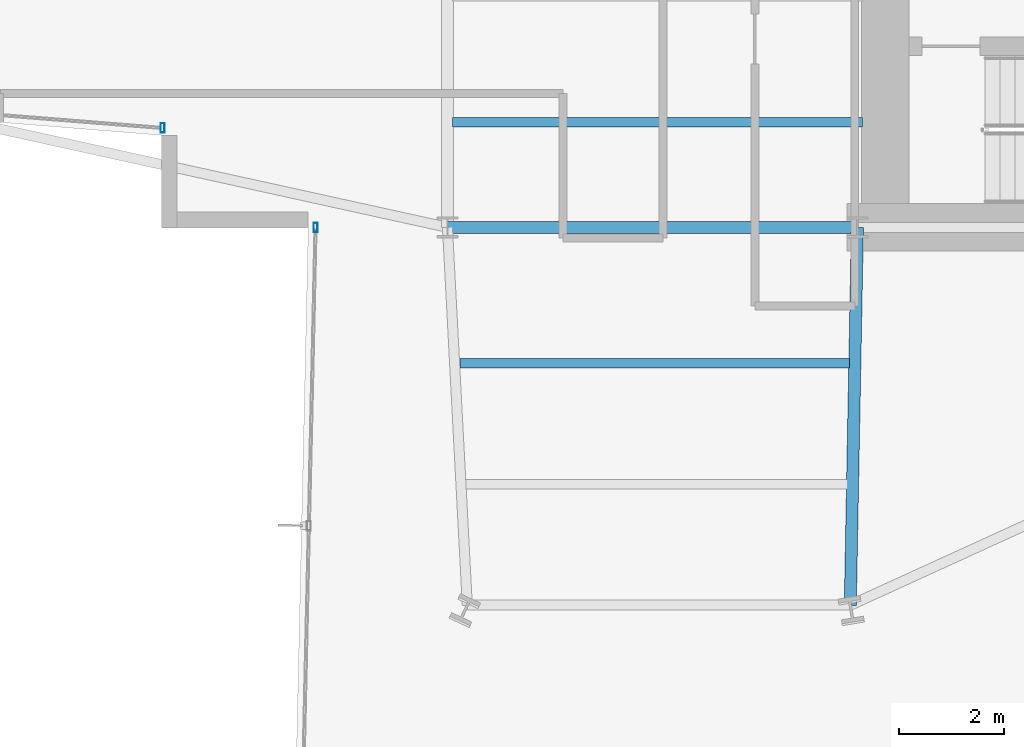
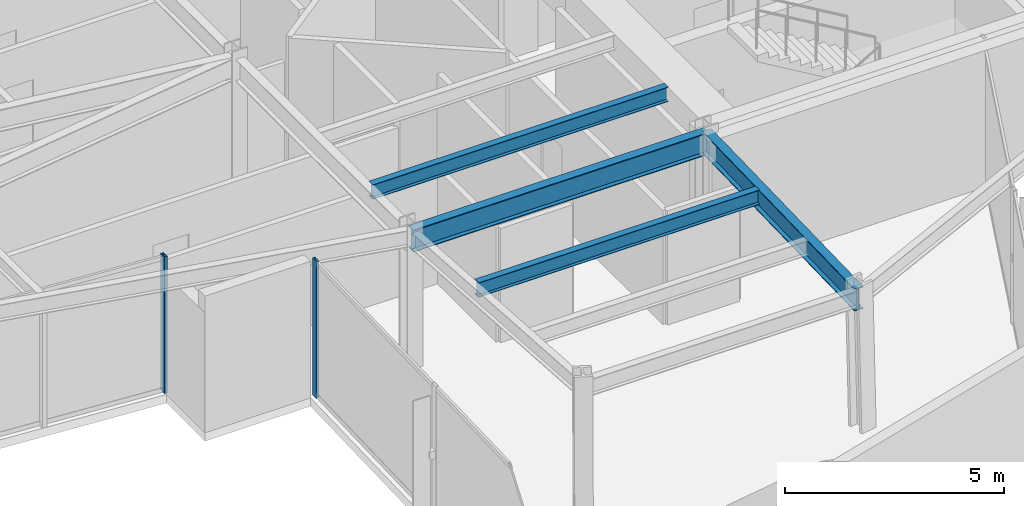
# One storey, part 5 of 26: 4 beams, 2 members, 2 elements without a shape of their own.
"""IFC4 building model written with IfcOpenShell, lengths in metres."""

from ifc_helpers import new_model, si_unit, direction, frame, origin, origin_2d, place, context, subcontext, project, spatial, hollow_rectangle, i_section, extrude, material, layer, layer_set, material_profile, profile_set, type_object, element, aggregate, save


model = new_model("IFC4")

# Units and contexts
model_context = context("Model", 3, precision=1e-05, world=origin(), true_north=direction((0.0, 1.0)))
body_context = subcontext(model_context, "Body", "Model", "MODEL_VIEW")
ifc_project = project(units=[si_unit("LENGTHUNIT", "METRE"), si_unit("AREAUNIT", "SQUARE_METRE"), si_unit("VOLUMEUNIT", "CUBIC_METRE"), si_unit("PLANEANGLEUNIT", "RADIAN"), si_unit("MASSUNIT", "GRAM", prefix="KILO")], contexts=[model_context])

# Site, building, storey
site_placement = place(None, origin())
site = spatial("IfcSite", under=ifc_project, at=site_placement, CompositionType="ELEMENT")
building_placement = place(site_placement, origin())
building = spatial("IfcBuilding", under=site, at=building_placement, Name="Veymaron Broadcast Tower", CompositionType="ELEMENT")
storey_placement = place(building_placement, frame((0.0, 0.0, 90.449951171875)))
storey = spatial("IfcBuildingStorey", under=building, at=storey_placement, Name="L20", CompositionType="ELEMENT", Elevation=90.449951171875)

# Beams
ifc_material_1 = material(Name="Structural steel ASTM A992 Gr 50", Category="steel")
ifc_material_profile_1 = material_profile(ifc_material_1, i_section(OverallWidth=0.22998046875, OverallDepth=0.616943359375, WebThickness=0.01318359375, FlangeThickness=0.022216796875, at=origin_2d()), Name="W610X140")
ifc_profile_set_1 = profile_set([ifc_material_profile_1], Name="Structural steel ASTM A992 Gr 50")
beam_type_1 = type_object("IfcBeamType", Name="BM-FG1", PredefinedType="BEAM", material=ifc_profile_set_1)
beam_1_placement = place(storey_placement, frame((31.199951171875, 16.0, 3.50146484375), z_axis=(1.0, 0.0, 0.0), x_axis=(0.0, 1.0, 0.0)))
element("IfcBeam", 1, at=beam_1_placement, inside=storey, type_object=beam_type_1, Name="L20 primary structural floor girder", PredefinedType="BEAM", context=body_context, shape_type="SweptSolid", body=[
    extrude(i_section(OverallWidth=0.22998046875, OverallDepth=0.616943359375, WebThickness=0.01318359375, FlangeThickness=0.022216796875, at=origin_2d()), origin(), (0.0, 0.0, 1.0), 7.800048828125),
])
beam_2_placement = place(storey_placement, frame((39.0, 16.0, 3.50146484375), z_axis=(-0.018774279541, -0.999823747681, 0.0), x_axis=(0.999823747681, -0.018774279541, 0.0)))
element("IfcBeam", 2, at=beam_2_placement, inside=storey, type_object=beam_type_1, Name="L20 primary structural floor girder", PredefinedType="BEAM", context=body_context, shape_type="SweptSolid", body=[
    extrude(i_section(OverallWidth=0.22998046875, OverallDepth=0.616943359375, WebThickness=0.01318359375, FlangeThickness=0.022216796875, at=origin_2d()), origin(), (0.0, 0.0, 1.0), 7.191162109375),
])
ifc_material_profile_2 = material_profile(ifc_material_1, i_section(OverallWidth=0.177978515625, OverallDepth=0.406982421875, WebThickness=0.0078125, FlangeThickness=0.0126953125, at=origin_2d()), Name="W410X60")
ifc_profile_set_2 = profile_set([ifc_material_profile_2], Name="Structural steel ASTM A992 Gr 50")
beam_type_2 = type_object("IfcBeamType", Name="BM-JS1", PredefinedType="JOIST", material=ifc_profile_set_2)
beam_3_placement = place(storey_placement, frame((31.43603515625, 13.41162109375, 3.6064453125), z_axis=(1.0, 0.0, 0.0), x_axis=(0.0, 1.0, 0.0)))
element("IfcBeam", 3, at=beam_3_placement, inside=storey, type_object=beam_type_2, Name="L20 Arm-C secondary joist 1", PredefinedType="JOIST", context=body_context, shape_type="SweptSolid", body=[
    extrude(i_section(OverallWidth=0.177978515625, OverallDepth=0.406982421875, WebThickness=0.0078125, FlangeThickness=0.0126953125, at=origin_2d()), origin(), (0.0, 0.0, 1.0), 7.415283203125),
])
beam_4_placement = place(storey_placement, frame((31.300048828125, 18.0, 3.6064453125), z_axis=(1.0, 0.0, 0.0), x_axis=(0.0, 1.0, 0.0)))
element("IfcBeam", 4, at=beam_4_placement, inside=storey, type_object=beam_type_2, Name="L20 Hub secondary joist 1", PredefinedType="JOIST", context=body_context, shape_type="SweptSolid", body=[
    extrude(i_section(OverallWidth=0.177978515625, OverallDepth=0.406982421875, WebThickness=0.0078125, FlangeThickness=0.0126953125, at=origin_2d()), origin(), (0.0, 0.0, 1.0), 7.800048828125),
])

# Curtain wall, member
ifc_material_2 = material(Name="Anodised aluminium AA 6063-T6 and laminated low-E dark glass", Category="aluminium")
ifc_layer = layer(ifc_material_2, 0.179931640625)
ifc_layer_set = layer_set([ifc_layer], Name="Anodised aluminium AA 6063-T6 and laminated low-E dark glass")
curtain_wall_type = type_object("IfcCurtainWallType", Name="CW-SYS-02", PredefinedType="NOTDEFINED", material=ifc_layer_set)
curtain_wall_1_placement = place(storey_placement, origin())
curtain_wall_1 = element("IfcCurtainWall", 5, at=curtain_wall_1_placement, inside=storey, type_object=curtain_wall_type, Name="L20 dark-glass curtain wall CW-L20-E14-1", PredefinedType="NOTDEFINED")
ifc_material_3 = material(Name="Anodised aluminium AA 6063-T6", Category="aluminium")
ifc_material_profile_3 = material_profile(ifc_material_3, hollow_rectangle(XDim=0.074951171875, YDim=0.179931640625, WallThickness=0.0048828125, at=origin_2d()), Name="AL180X75X5")
ifc_profile_set_3 = profile_set([ifc_material_profile_3], Name="Anodised aluminium AA 6063-T6")
member_type = type_object("IfcMemberType", Name="CW-MUL-02", PredefinedType="MULLION", material=ifc_profile_set_3)
member_1_placement = place(storey_placement, frame((25.779052734375, 17.890869140625, 0.0), z_axis=(0.0, 0.0, 1.0), x_axis=(1.0, 0.0, 0.0)))
member_1 = element("IfcMember", 6, at=member_1_placement, type_object=member_type, Name="CW-L20-E14-1 mullion 2", PredefinedType="MULLION", context=body_context, shape_type="SweptSolid", body=[
    extrude(hollow_rectangle(XDim=0.074951171875, YDim=0.179931640625, WallThickness=0.0048828125, at=origin_2d()), origin(), (0.0, 0.0, 1.0), 3.81005859375),
])
aggregate(curtain_wall_1, [member_1])

curtain_wall_2_placement = place(storey_placement, origin())
curtain_wall_2 = element("IfcCurtainWall", 7, at=curtain_wall_2_placement, inside=storey, type_object=curtain_wall_type, Name="L20 dark-glass curtain wall CW-L20-E17-1", PredefinedType="NOTDEFINED")
member_2_placement = place(storey_placement, frame((28.690185546875, 15.996826171875, 0.0), z_axis=(0.0, 0.0, 1.0), x_axis=(1.0, 0.0, 0.0)))
member_2 = element("IfcMember", 8, at=member_2_placement, type_object=member_type, Name="CW-L20-E17-1 mullion 0", PredefinedType="MULLION", context=body_context, shape_type="SweptSolid", body=[
    extrude(hollow_rectangle(XDim=0.074951171875, YDim=0.179931640625, WallThickness=0.0048828125, at=origin_2d()), origin(), (0.0, 0.0, 1.0), 3.81005859375),
])
aggregate(curtain_wall_2, [member_2])

save(model, "model.ifc")
